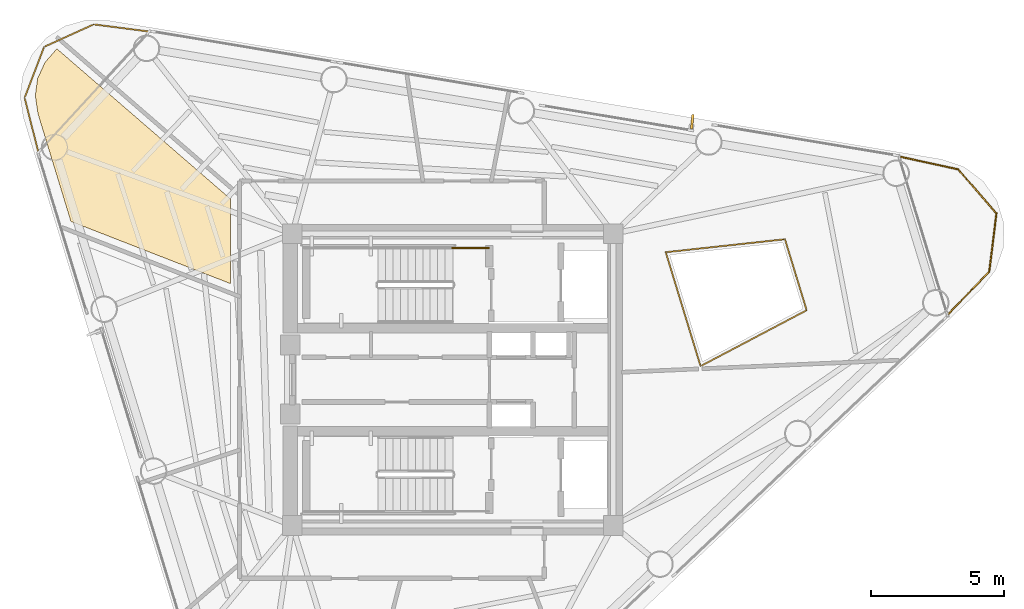
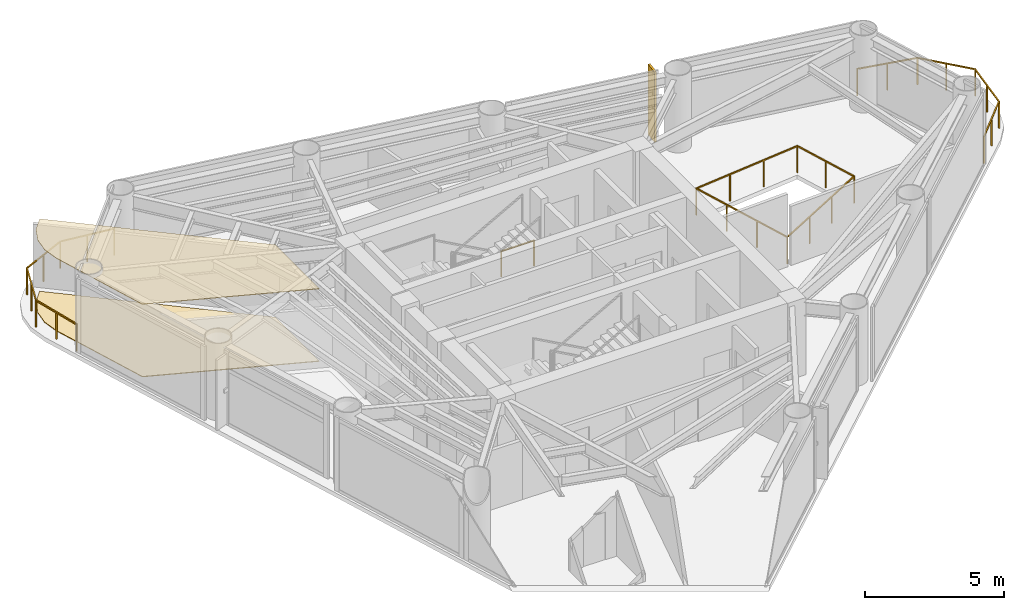
# One storey, part 8 of 8: 4 railings, 2 coverings, 1 shading device.
"""IFC4 building model written with IfcOpenShell, lengths in metres."""

from ifc_helpers import new_model, si_unit, direction, frame, origin, origin_2d, place, context, subcontext, project, spatial, polyline, rectangle, outline, extrude, source, transform, mapped, material, layer, layer_set, material_profile, profile_set, type_object, element, save


model = new_model("IFC4")

# Units and contexts
model_context = context("Model", 3, precision=1e-05, world=origin(), true_north=direction((0.0, 1.0)))
body_context = subcontext(model_context, "Body", "Model", "MODEL_VIEW")
ifc_project = project(units=[si_unit("LENGTHUNIT", "METRE"), si_unit("AREAUNIT", "SQUARE_METRE"), si_unit("VOLUMEUNIT", "CUBIC_METRE"), si_unit("PLANEANGLEUNIT", "RADIAN"), si_unit("MASSUNIT", "GRAM", prefix="KILO")], contexts=[model_context])

# Site, building, storey
site_placement = place(None, origin())
site = spatial("IfcSite", under=ifc_project, at=site_placement, CompositionType="ELEMENT")
building_placement = place(site_placement, origin())
building = spatial("IfcBuilding", under=site, at=building_placement, Name="Yunling Apex Tower", CompositionType="ELEMENT")
storey_placement = place(building_placement, frame((0.0, 0.0, 238.85009765625)))
storey = spatial("IfcBuildingStorey", under=building, at=storey_placement, Name="L58", CompositionType="ELEMENT", Elevation=238.85009765625)

# Coverings
ifc_material_1 = material(Name="Acoustic mineral fibre ceiling")
ifc_layer_1 = layer(ifc_material_1, 0.02490234375)
ifc_layer_set_1 = layer_set([ifc_layer_1], Name="Acoustic mineral fibre ceiling")
covering_type_1 = type_object("IfcCoveringType", Name="CV-CLG-1", PredefinedType="CEILING", material=ifc_layer_set_1)
covering_1_placement = place(storey_placement, frame((0.0, 0.0, 3.19482421875)))
element("IfcCovering", 1, at=covering_1_placement, inside=storey, type_object=covering_type_1, Name="CV-CL-SP-L58-AMN8", PredefinedType="CEILING", context=body_context, shape_type="SweptSolid", body=[
    extrude(outline(polyline([(-15.64453125, 11.357177734375), (-15.369384765625, 11.9580078125), (-14.93408203125, 12.455078125), (-14.9169921875, 12.4658203125), (-8.3701171875, 6.802978515625), (-8.3701171875, 3.614990234375), (-14.392822265625, 5.961669921875), (-15.6298828125, 10.008056640625), (-15.736083984375, 10.70263671875), (-15.64453125, 11.357177734375)])), origin(), (0.0, 0.0, 1.0), 0.025146484375),
])
ifc_material_2 = material(Name="Polished granite stone", Category="masonry")
ifc_layer_2 = layer(ifc_material_2, 0.030029296875)
ifc_layer_set_2 = layer_set([ifc_layer_2], Name="Polished granite stone")
covering_type_2 = type_object("IfcCoveringType", Name="CV-FLR-1", PredefinedType="FLOORING", material=ifc_layer_set_2)
covering_2_placement = place(storey_placement, origin())
element("IfcCovering", 2, at=covering_2_placement, inside=storey, type_object=covering_type_2, Name="CV-FL-SP-L58-AMN8", PredefinedType="FLOORING", context=body_context, shape_type="SweptSolid", body=[
    extrude(outline(polyline([(-15.64453125, 11.357177734375), (-15.369384765625, 11.9580078125), (-14.93408203125, 12.455078125), (-14.9169921875, 12.4658203125), (-8.3701171875, 6.802978515625), (-8.3701171875, 3.614990234375), (-14.392822265625, 5.961669921875), (-15.6298828125, 10.008056640625), (-15.736083984375, 10.70263671875), (-15.64453125, 11.357177734375)])), origin(), (0.0, 0.0, 1.0), 0.02978515625),
])

# Railings
ifc_material_3 = material(Name="Bronze anodised aluminium", Category="aluminium")
railing_type_1 = type_object("IfcRailingType", Name="RL-BAL-1200", PredefinedType="BALUSTRADE", material=ifc_material_3)
railing_1_placement = place(storey_placement, frame((16.8173828125, 8.41064453125, 0.0)))
element("IfcRailing", 3, at=railing_1_placement, inside=storey, type_object=railing_type_1, Name="RL-CRNSILL-L58-1", PredefinedType="BALUSTRADE", context=body_context, shape_type="SweptSolid", body=[
    extrude(rectangle(XDim=0.0439453125, YDim=0.0439453125, at=origin_2d()), origin(), (0.0, 0.0, 1.0), 1.199951171875),
    extrude(rectangle(XDim=0.0439453125, YDim=0.0439453125, at=origin_2d()), frame((2.2275390625, -0.484130859375, 0.0)), (0.0, 0.0, 1.0), 1.199951171875),
    extrude(rectangle(XDim=0.050048828125, YDim=0.050048828125, at=origin_2d()), frame((0.037353515625, -0.008056640625, 1.1748046875), z_axis=(0.977186995442, -0.212380733446, 0.0), x_axis=(0.212380733446, 0.977186995442, 0.0)), (0.0, 0.0, 1.0), 2.202880859375),
    extrude(rectangle(XDim=0.0439453125, YDim=0.0439453125, at=origin_2d()), frame((1.11376953125, -0.2421875, 0.0)), (0.0, 0.0, 1.0), 1.14599609375),
    extrude(rectangle(XDim=0.0439453125, YDim=0.0439453125, at=origin_2d()), frame((3.673828125, -2.145751953125, 0.0)), (0.0, 0.0, 1.0), 1.199951171875),
    extrude(rectangle(XDim=0.050048828125, YDim=0.050048828125, at=origin_2d()), frame((2.252685546875, -0.512939453125, 1.1748046875), z_axis=(0.656540826245, -0.754290490112, 0.0), x_axis=(0.754290490112, 0.656540826245, 0.0)), (0.0, 0.0, 1.0), 2.126220703125),
    extrude(rectangle(XDim=0.0439453125, YDim=0.0439453125, at=origin_2d()), frame((2.95068359375, -1.31494140625, 0.0)), (0.0, 0.0, 1.0), 1.14599609375),
    extrude(rectangle(XDim=0.0439453125, YDim=0.0439453125, at=origin_2d()), frame((3.404052734375, -4.332275390625, 0.0)), (0.0, 0.0, 1.0), 1.199951171875),
    extrude(rectangle(XDim=0.050048828125, YDim=0.050048828125, at=origin_2d()), frame((3.669189453125, -2.183837890625, 1.1748046875), z_axis=(-0.122452455401, -0.992474380609, 0.0), x_axis=(0.992474380609, -0.122452455401, 0.0)), (0.0, 0.0, 1.0), 2.12646484375),
    extrude(rectangle(XDim=0.0439453125, YDim=0.0439453125, at=origin_2d()), frame((3.5390625, -3.239013671875, 0.0)), (0.0, 0.0, 1.0), 1.14599609375),
    extrude(rectangle(XDim=0.0439453125, YDim=0.0439453125, at=origin_2d()), frame((1.828125, -5.979248046875, 0.0)), (0.0, 0.0, 1.0), 1.199951171875),
    extrude(rectangle(XDim=0.050048828125, YDim=0.050048828125, at=origin_2d()), frame((3.37744140625, -4.35986328125, 1.1748046875), z_axis=(-0.691351518359, -0.722518565895, 0.0), x_axis=(0.722518565895, -0.691351518359, 0.0)), (0.0, 0.0, 1.0), 2.202880859375),
    extrude(rectangle(XDim=0.0439453125, YDim=0.0439453125, at=origin_2d()), frame((2.6162109375, -5.15576171875, 0.0)), (0.0, 0.0, 1.0), 1.14599609375),
])
railing_2_placement = place(storey_placement, frame((-15.61962890625, 8.571533203125, 0.0)))
element("IfcRailing", 4, at=railing_2_placement, inside=storey, type_object=railing_type_1, Name="RL-CRNSILL-L58-2", PredefinedType="BALUSTRADE", context=body_context, shape_type="SweptSolid", body=[
    extrude(rectangle(XDim=0.0439453125, YDim=0.0439453125, at=origin_2d()), origin(), (0.0, 0.0, 1.0), 1.199951171875),
    extrude(rectangle(XDim=0.0439453125, YDim=0.0439453125, at=origin_2d()), frame((-0.5185546875, 2.04931640625, 0.0)), (0.0, 0.0, 1.0), 1.199951171875),
    extrude(rectangle(XDim=0.050048828125, YDim=0.050048828125, at=origin_2d()), frame((-0.009521484375, 0.037109375, 1.1748046875), z_axis=(-0.245306459502, 0.969445584304, 0.0), x_axis=(-0.969445584304, -0.245306459502, 0.0)), (0.0, 0.0, 1.0), 2.037353515625),
    extrude(rectangle(XDim=0.0439453125, YDim=0.0439453125, at=origin_2d()), frame((-0.25927734375, 1.024658203125, 0.0)), (0.0, 0.0, 1.0), 1.14599609375),
    extrude(rectangle(XDim=0.0439453125, YDim=0.0439453125, at=origin_2d()), frame((0.216552734375, 3.970458984375, 0.0)), (0.0, 0.0, 1.0), 1.199951171875),
    extrude(rectangle(XDim=0.050048828125, YDim=0.050048828125, at=origin_2d()), frame((-0.5048828125, 2.085205078125, 1.1748046875), z_axis=(0.357371966157, 0.933962139385, 0.0), x_axis=(-0.933962139385, 0.357371966157, 0.0)), (0.0, 0.0, 1.0), 1.980224609375),
    extrude(rectangle(XDim=0.0439453125, YDim=0.0439453125, at=origin_2d()), frame((-0.15087890625, 3.009765625, 0.0)), (0.0, 0.0, 1.0), 1.14599609375),
    extrude(rectangle(XDim=0.0439453125, YDim=0.0439453125, at=origin_2d()), frame((2.083740234375, 4.817626953125, 0.0)), (0.0, 0.0, 1.0), 1.199951171875),
    extrude(rectangle(XDim=0.050048828125, YDim=0.050048828125, at=origin_2d()), frame((0.25146484375, 3.986328125, 1.1748046875), z_axis=(0.910651704015, 0.413174870938, 0.0), x_axis=(-0.413174870938, 0.910651704015, 0.0)), (0.0, 0.0, 1.0), 1.9736328125),
    extrude(rectangle(XDim=0.0439453125, YDim=0.0439453125, at=origin_2d()), frame((1.150146484375, 4.39404296875, 0.0)), (0.0, 0.0, 1.0), 1.14599609375),
    extrude(rectangle(XDim=0.0439453125, YDim=0.0439453125, at=origin_2d()), frame((4.180908203125, 4.54736328125, 0.0)), (0.0, 0.0, 1.0), 1.199951171875),
    extrude(rectangle(XDim=0.050048828125, YDim=0.050048828125, at=origin_2d()), frame((2.121826171875, 4.812744140625, 1.1748046875), z_axis=(0.99179818069, -0.127813805125, 0.0), x_axis=(0.127813805125, 0.99179818069, 0.0)), (0.0, 0.0, 1.0), 2.037841796875),
    extrude(rectangle(XDim=0.0439453125, YDim=0.0439453125, at=origin_2d()), frame((3.13232421875, 4.6826171875, 0.0)), (0.0, 0.0, 1.0), 1.14599609375),
])
railing_3_placement = place(storey_placement, frame((8.02685546875, 4.8017578125, 0.0)))
element("IfcRailing", 5, at=railing_3_placement, inside=storey, type_object=railing_type_1, Name="RL-TATR-L58", PredefinedType="BALUSTRADE", context=body_context, shape_type="SweptSolid", body=[
    extrude(rectangle(XDim=0.0439453125, YDim=0.0439453125, at=origin_2d()), origin(), (0.0, 0.0, 1.0), 1.199951171875),
    extrude(rectangle(XDim=0.0439453125, YDim=0.0439453125, at=origin_2d()), frame((4.4931640625, 0.4892578125, 0.0)), (0.0, 0.0, 1.0), 1.199951171875),
    extrude(rectangle(XDim=0.050048828125, YDim=0.050048828125, at=origin_2d()), frame((0.0380859375, 0.004150390625, 1.1748046875), z_axis=(0.994123756521, 0.108249511414, 0.0), x_axis=(-0.108249511414, 0.994123756521, 0.0)), (0.0, 0.0, 1.0), 4.443115234375),
    extrude(rectangle(XDim=0.0439453125, YDim=0.0439453125, at=origin_2d()), frame((1.497802734375, 0.1630859375, 0.0)), (0.0, 0.0, 1.0), 1.14599609375),
    extrude(rectangle(XDim=0.0439453125, YDim=0.0439453125, at=origin_2d()), frame((2.995361328125, 0.326171875, 0.0)), (0.0, 0.0, 1.0), 1.14599609375),
    extrude(rectangle(XDim=0.0439453125, YDim=0.0439453125, at=origin_2d()), frame((5.3115234375, -2.18701171875, 0.0)), (0.0, 0.0, 1.0), 1.199951171875),
    extrude(rectangle(XDim=0.050048828125, YDim=0.050048828125, at=origin_2d()), frame((4.50439453125, 0.45263671875, 1.1748046875), z_axis=(0.292417998169, -0.956290601411, 0.0), x_axis=(0.956290601411, 0.292417998169, 0.0)), (0.0, 0.0, 1.0), 2.721923828125),
    extrude(rectangle(XDim=0.0439453125, YDim=0.0439453125, at=origin_2d()), frame((4.90234375, -0.848876953125, 0.0)), (0.0, 0.0, 1.0), 1.14599609375),
    extrude(rectangle(XDim=0.0439453125, YDim=0.0439453125, at=origin_2d()), frame((1.312744140625, -4.2939453125, 0.0)), (0.0, 0.0, 1.0), 1.199951171875),
    extrude(rectangle(XDim=0.050048828125, YDim=0.050048828125, at=origin_2d()), frame((5.277587890625, -2.204833984375, 1.1748046875), z_axis=(-0.884707228161, -0.466147101717, 0.0), x_axis=(0.466147101717, -0.884707228161, 0.0)), (0.0, 0.0, 1.0), 4.443115234375),
    extrude(rectangle(XDim=0.0439453125, YDim=0.0439453125, at=origin_2d()), frame((3.978515625, -2.889404296875, 0.0)), (0.0, 0.0, 1.0), 1.14599609375),
    extrude(rectangle(XDim=0.0439453125, YDim=0.0439453125, at=origin_2d()), frame((2.645751953125, -3.591552734375, 0.0)), (0.0, 0.0, 1.0), 1.14599609375),
    extrude(rectangle(XDim=0.050048828125, YDim=0.050048828125, at=origin_2d()), frame((1.301513671875, -4.25732421875, 1.1748046875), z_axis=(-0.292362196042, 0.956307663007, 0.0), x_axis=(-0.956307663007, -0.292362196042, 0.0)), (0.0, 0.0, 1.0), 4.41357421875),
    extrude(rectangle(XDim=0.0439453125, YDim=0.0439453125, at=origin_2d()), frame((0.875244140625, -2.862548828125, 0.0)), (0.0, 0.0, 1.0), 1.14599609375),
    extrude(rectangle(XDim=0.0439453125, YDim=0.0439453125, at=origin_2d()), frame((0.4375, -1.431396484375, 0.0)), (0.0, 0.0, 1.0), 1.14599609375),
])
ifc_material_4 = material(Name="Steel Q355B", Category="steel")
railing_type_2 = type_object("IfcRailingType", Name="RL-GRD-1150", PredefinedType="GUARDRAIL", material=ifc_material_4)
railing_4_placement = place(storey_placement, frame((1.35009765625, 4.9599609375, 0.0)))
element("IfcRailing", 6, at=railing_4_placement, inside=storey, type_object=railing_type_2, Name="L58 ST-1 stair guard 6", PredefinedType="GUARDRAIL", context=body_context, shape_type="SweptSolid", body=[
    extrude(rectangle(XDim=0.0439453125, YDim=0.0439453125, at=origin_2d()), origin(), (0.0, 0.0, 1.0), 1.14990234375),
    extrude(rectangle(XDim=0.0439453125, YDim=0.0439453125, at=origin_2d()), frame((-1.360107421875, 0.0, 0.0)), (0.0, 0.0, 1.0), 1.14990234375),
    extrude(rectangle(XDim=0.050048828125, YDim=0.050048828125, at=origin_2d()), frame((-0.038330078125, 0.0, 1.125), z_axis=(-1.0, 0.0, 0.0), x_axis=(0.0, -1.0, 0.0)), (0.0, 0.0, 1.0), 1.283447265625),
])

# Shading device
ifc_material_profile = material_profile(ifc_material_3, rectangle(XDim=0.0849609375, YDim=0.550048828125, at=origin_2d()))
ifc_profile_set = profile_set([ifc_material_profile], Name="Bronze anodised aluminium")
shading_device_type = type_object("IfcShadingDeviceType", Name="FN-BRZ-3", PredefinedType="USERDEFINED", material=ifc_profile_set)
shared_shape = source(origin(), body_context, "Body", "SweptSolid", [
    extrude(rectangle(XDim=0.0849609375, YDim=0.550048828125, at=origin_2d()), origin(), (0.0, 0.0, 1.0), 3.10009765625),
])
shading_device_placement = place(storey_placement, frame((9.0244140625, 9.71435546875, 0.059814453125), z_axis=(0.0, 0.0, 1.0), x_axis=(-0.995038220239, 0.099493418189, 0.0)))
element("IfcShadingDevice", 7, at=shading_device_placement, inside=storey, type_object=shading_device_type, Name="CW-L58-F2-B2-FIN-01", ObjectType="FIN", PredefinedType="USERDEFINED", context=body_context, shape_type="MappedRepresentation", body=[
    mapped(shared_shape, transform((0.0, 0.0, 0.0), scale=1.0)),
])

save(model, "model.ifc")
